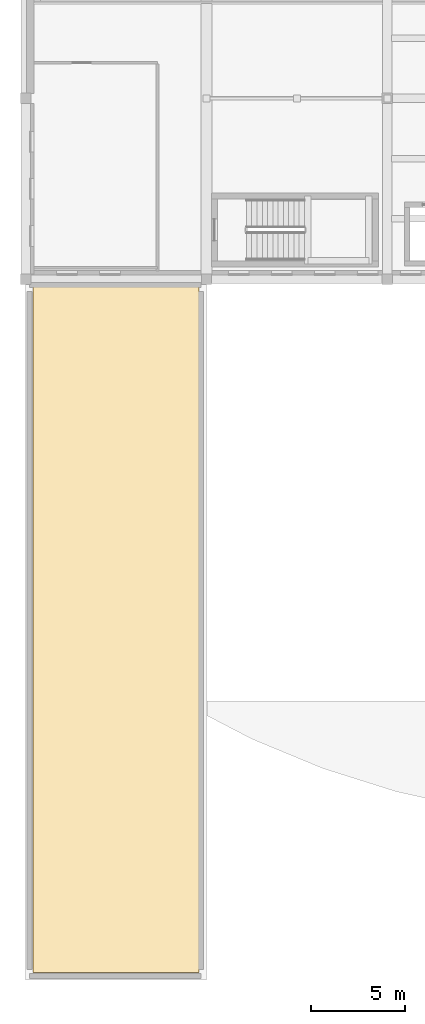
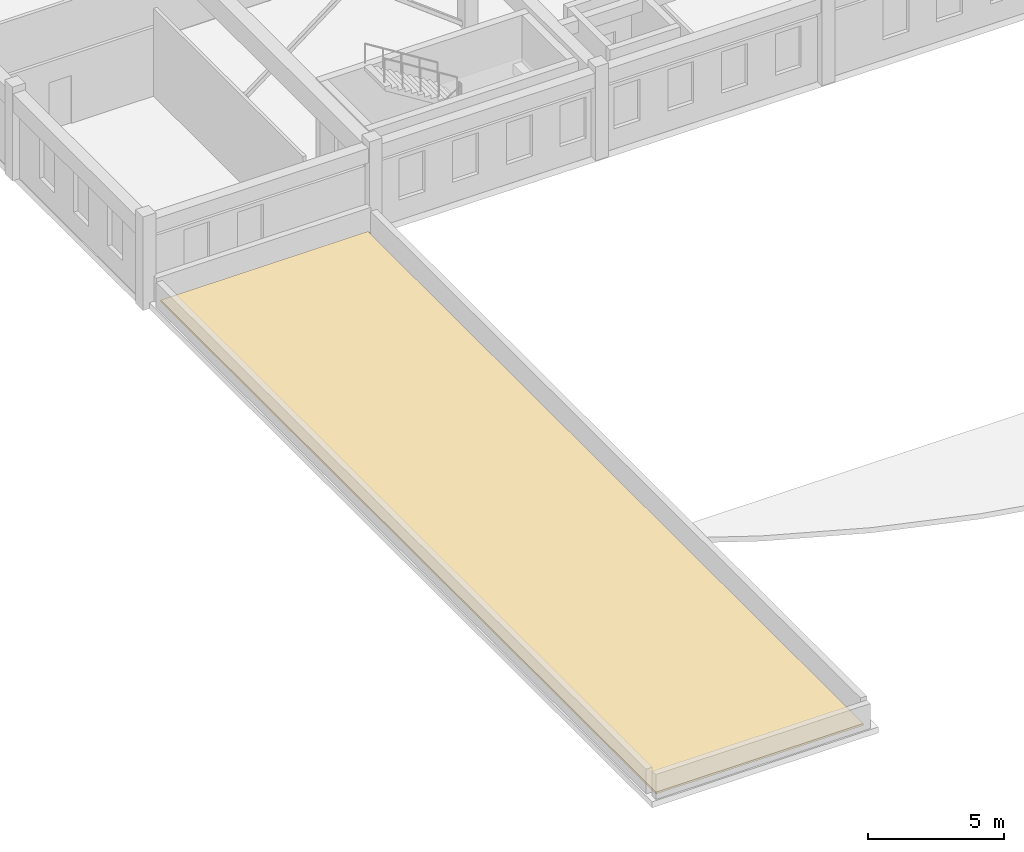
# One storey, part 34 of 46: 1 covering.
"""IFC4 building model written with IfcOpenShell, lengths in metres."""

import ifcopenshell
import ifcopenshell.guid

model = None  # the IFC model being written
_history = None  # IfcOwnerHistory: only IFC2X3 demands one
_inside = {}  # id of a spatial element -> (the spatial element, [elements in it])
_under = {}  # id of a project, library or spatial element -> (it, [spatial elements below it])
_declared = {}  # id of a project -> (the project, [libraries it declares])
_typed = {}  # id of a type object -> (the type object, [elements of that type])
_made_of = {}  # id of a material, layer set ... -> (it, [elements and type objects made of it])


def new_model(schema):
    """Start an empty IFC model of exactly this schema.

    Asked for "IFC4X3", IfcOpenShell would pick the latest addendum, in which some entities
    have other attributes; the version numbers below select the first issue.
    IFC2X3 requires an IfcOwnerHistory on every rooted entity: one is made here for all.
    """
    global model, _history
    if schema == "IFC4X3":
        model = ifcopenshell.file(schema_version=(4, 3, 0, 0))
    else:
        model = ifcopenshell.file(schema=schema)
    _inside.clear()
    _under.clear()
    _declared.clear()
    _typed.clear()
    _made_of.clear()
    _history = None
    if model.schema == "IFC2X3":
        org = make("IfcOrganization", Name="unknown")
        user = make(
            "IfcPersonAndOrganization",
            ThePerson=make("IfcPerson", FamilyName="unknown"),
            TheOrganization=org,
        )
        app = make(
            "IfcApplication",
            ApplicationDeveloper=org,
            Version="unknown",
            ApplicationFullName="unknown",
            ApplicationIdentifier="unknown",
        )
        _history = make(
            "IfcOwnerHistory",
            OwningUser=user,
            OwningApplication=app,
            ChangeAction="ADDED",
            CreationDate=0,
        )
    return model


def make(cls, **values):
    """One entity of the class cls with the attributes given. An attribute that is None is left unset."""
    return model.create_entity(
        cls, **{name: value for name, value in values.items() if value is not None}
    )


def rooted(cls, **values):
    """An entity with a GlobalId (a new one), such as an element, a storey or a relation."""
    return make(cls, GlobalId=ifcopenshell.guid.new(), OwnerHistory=_history, **values)


def si_unit(unit_type, name, prefix=None):
    """IfcSIUnit, for example si_unit("LENGTHUNIT", "METRE", prefix="MILLI")."""
    return make("IfcSIUnit", UnitType=unit_type, Prefix=prefix, Name=name)


def assignment(units):
    """IfcUnitAssignment: the units of a project."""
    return None if units is None else make("IfcUnitAssignment", Units=units)


def point(xyz):
    """IfcCartesianPoint."""
    return None if xyz is None else make("IfcCartesianPoint", Coordinates=xyz)


def direction(xyz):
    """IfcDirection."""
    return None if xyz is None else make("IfcDirection", DirectionRatios=xyz)


def frame(location, z_axis=None, x_axis=None):
    """IfcAxis2Placement3D, a coordinate frame: its origin and axes. An axis left out is left unset."""
    return make(
        "IfcAxis2Placement3D",
        Location=point(location),
        Axis=direction(z_axis),
        RefDirection=direction(x_axis),
    )


def origin():
    """The frame at (0, 0, 0) with its axes left unset."""
    return frame((0.0, 0.0, 0.0))


def place(relative_to, where):
    """IfcLocalPlacement: puts the frame where relative to a parent placement (None: the world)."""
    return make(
        "IfcLocalPlacement", PlacementRelTo=relative_to, RelativePlacement=where
    )


def context(
    kind, dimensions, precision=None, world=None, true_north=None, identifier=None
):
    """IfcGeometricRepresentationContext, for example the 3D "Model" context."""
    return make(
        "IfcGeometricRepresentationContext",
        ContextIdentifier=identifier,
        ContextType=kind,
        CoordinateSpaceDimension=dimensions,
        Precision=precision,
        WorldCoordinateSystem=world,
        TrueNorth=true_north,
    )


def subcontext(parent, identifier, kind, view, scale=None):
    """IfcGeometricRepresentationSubContext, for example "Body" below "Model"."""
    return make(
        "IfcGeometricRepresentationSubContext",
        ContextIdentifier=identifier,
        ContextType=kind,
        ParentContext=parent,
        TargetScale=scale,
        TargetView=view,
    )


def project(units=None, contexts=None):
    """IfcProject with its units and contexts."""
    return rooted(
        "IfcProject",
        Name="project",
        RepresentationContexts=contexts,
        UnitsInContext=assignment(units),
    )


def spatial(cls, under=None, at=None, **own):
    """A site, building, storey or space (cls), placed at a placement, below another one or the project."""
    s = rooted(cls, ObjectPlacement=at, **own)
    if under is not None:
        _under.setdefault(under.id(), (under, []))[1].append(s)
    return s


def polyline(points):
    """IfcPolyline through the points."""
    return make("IfcPolyline", Points=[point(p) for p in points])


def outline(outer, holes=None, kind="AREA"):
    """IfcArbitraryClosedProfileDef: a profile drawn as a closed curve; with holes, ...WithVoids."""
    if holes is None:
        return make("IfcArbitraryClosedProfileDef", ProfileType=kind, OuterCurve=outer)
    return make(
        "IfcArbitraryProfileDefWithVoids",
        ProfileType=kind,
        OuterCurve=outer,
        InnerCurves=holes,
    )


def extrude(swept, where, along, depth):
    """IfcExtrudedAreaSolid: the profile swept, set in the frame where, extruded along a direction by depth."""
    return make(
        "IfcExtrudedAreaSolid",
        SweptArea=swept,
        Position=where,
        ExtrudedDirection=direction(along),
        Depth=depth,
    )


def shape(context_of_items, identifier, shape_type, items):
    """IfcShapeRepresentation: the items that make up one representation, for example the "Body"."""
    return make(
        "IfcShapeRepresentation",
        ContextOfItems=context_of_items,
        RepresentationIdentifier=identifier,
        RepresentationType=shape_type,
        Items=items,
    )


def material(Name=None, Category=None):
    """IfcMaterial."""
    return make("IfcMaterial", Name=Name, Category=Category)


def layer(
    of_material, thickness, ventilated=None, Name=None, Category=None, Priority=None
):
    """IfcMaterialLayer: one layer of a wall or slab, of a material (None: an air gap)."""
    return make(
        "IfcMaterialLayer",
        Material=of_material,
        LayerThickness=thickness,
        IsVentilated=ventilated,
        Name=Name,
        Category=Category,
        Priority=Priority,
    )


def layer_set(layers, Name=None):
    """IfcMaterialLayerSet."""
    return make("IfcMaterialLayerSet", MaterialLayers=layers, LayerSetName=Name)


def made_of(thing, what):
    """Note that an element or type object is made of a material, layer set ...; save() writes the relation."""
    if what is not None:
        _made_of.setdefault(what.id(), (what, []))[1].append(thing)
    return thing


def type_object(cls, material=None, **own):
    """A type object (cls), such as IfcWallType, which elements share."""
    return made_of(rooted(cls, **own), material)


def element(
    cls,
    number,
    at=None,
    inside=None,
    cuts=None,
    type_object=None,
    material=None,
    context=None,
    identifier="Body",
    shape_type=None,
    held_by="IfcProductDefinitionShape",
    body=None,
    shapes=None,
    **own,
):
    """One element of the class cls, such as IfcWall. Its Tag is "e" and its number.

    at: its placement. inside: the storey or other place that contains it. cuts: it is an
    opening in that element (IfcRelVoidsElement). A single representation is given by context,
    identifier, shape_type and body (its items); several are given by shapes. held_by: the class
    of the entity that holds the representations. save() writes the other relations.
    """
    e = rooted(cls, Tag="e%d" % number, ObjectPlacement=at, **own)
    if body is not None:
        shapes = [shape(context, identifier, shape_type, body)]
    if shapes is not None:
        e.Representation = make(held_by, Representations=shapes)
    if inside is not None:
        _inside.setdefault(inside.id(), (inside, []))[1].append(e)
    if cuts is not None:
        rooted(
            "IfcRelVoidsElement", RelatingBuildingElement=cuts, RelatedOpeningElement=e
        )
    if type_object is not None:
        _typed.setdefault(type_object.id(), (type_object, []))[1].append(e)
    return made_of(e, material)


def aggregate(whole, parts):
    """IfcRelAggregates: a whole, such as a stair, and the parts it consists of."""
    return rooted("IfcRelAggregates", RelatingObject=whole, RelatedObjects=parts)


def save(model, path):
    """Write the relations noted so far, then the file.

    IfcRelAggregates (storeys below a building ...), IfcRelContainedInSpatialStructure (elements
    in a storey), IfcRelDefinesByType, IfcRelAssociatesMaterial and IfcRelDeclares: one each for
    every whole, place, type object, material and project.
    """
    for whole, parts in _under.values():
        aggregate(whole, parts)
    for where, things in _inside.values():
        rooted(
            "IfcRelContainedInSpatialStructure",
            RelatedElements=things,
            RelatingStructure=where,
        )
    for kind, things in _typed.values():
        rooted("IfcRelDefinesByType", RelatedObjects=things, RelatingType=kind)
    for what, things in _made_of.values():
        rooted("IfcRelAssociatesMaterial", RelatedObjects=things, RelatingMaterial=what)
    for by, libraries in _declared.values():
        rooted("IfcRelDeclares", RelatingContext=by, RelatedDefinitions=libraries)
    model.write(path)


model = new_model("IFC4")

# Units and contexts
model_context = context("Model", 3, precision=1e-05, world=origin(), true_north=direction((0.0, 1.0)))
body_context = subcontext(model_context, "Body", "Model", "MODEL_VIEW")
ifc_project = project(units=[si_unit("LENGTHUNIT", "METRE"), si_unit("AREAUNIT", "SQUARE_METRE"), si_unit("VOLUMEUNIT", "CUBIC_METRE"), si_unit("PLANEANGLEUNIT", "RADIAN"), si_unit("MASSUNIT", "GRAM", prefix="KILO")], contexts=[model_context])

# Site, building, storey
site_placement = place(None, origin())
site = spatial("IfcSite", under=ifc_project, at=site_placement, CompositionType="ELEMENT")
building_placement = place(site_placement, origin())
building = spatial("IfcBuilding", under=site, at=building_placement, Name="Tarnavel Promenade Courthouse", CompositionType="ELEMENT")
storey_placement = place(building_placement, frame((0.0, 0.0, 14.39990234375)))
storey = spatial("IfcBuildingStorey", under=building, at=storey_placement, Name="L04", CompositionType="ELEMENT", Elevation=14.39990234375)

# Covering
ifc_material = material(Name="Standing-Seam Patinated Copper Snow-Retaining Roofing")
ifc_layer = layer(ifc_material, 0.0849609375)
ifc_layer_set = layer_set([ifc_layer], Name="Standing-Seam Patinated Copper Snow-Retaining Roofing")
covering_type = type_object("IfcCoveringType", Name="Standing-Seam Patinated Copper Snow-Retaining Roofing COV-RF-COPPER-85 (85 mm)", PredefinedType="ROOFING", material=ifc_layer_set)
covering_placement = place(storey_placement, frame((0.0, 0.0, 0.235107421875)))
element("IfcCovering", 1, at=covering_placement, inside=storey, type_object=covering_type, Name="L04 Standing-Seam Copper Roof Build-Up 06", PredefinedType="ROOFING", context=body_context, shape_type="SweptSolid", body=[
    extrude(outline(polyline([(0.39990234375, 0.39990234375), (9.199951171875, 0.39990234375), (9.199951171875, 36.800048828125), (0.39990234375, 36.800048828125), (0.39990234375, 0.39990234375)])), origin(), (0.0, 0.0, 1.0), 0.0849609375),
])

save(model, "model.ifc")
